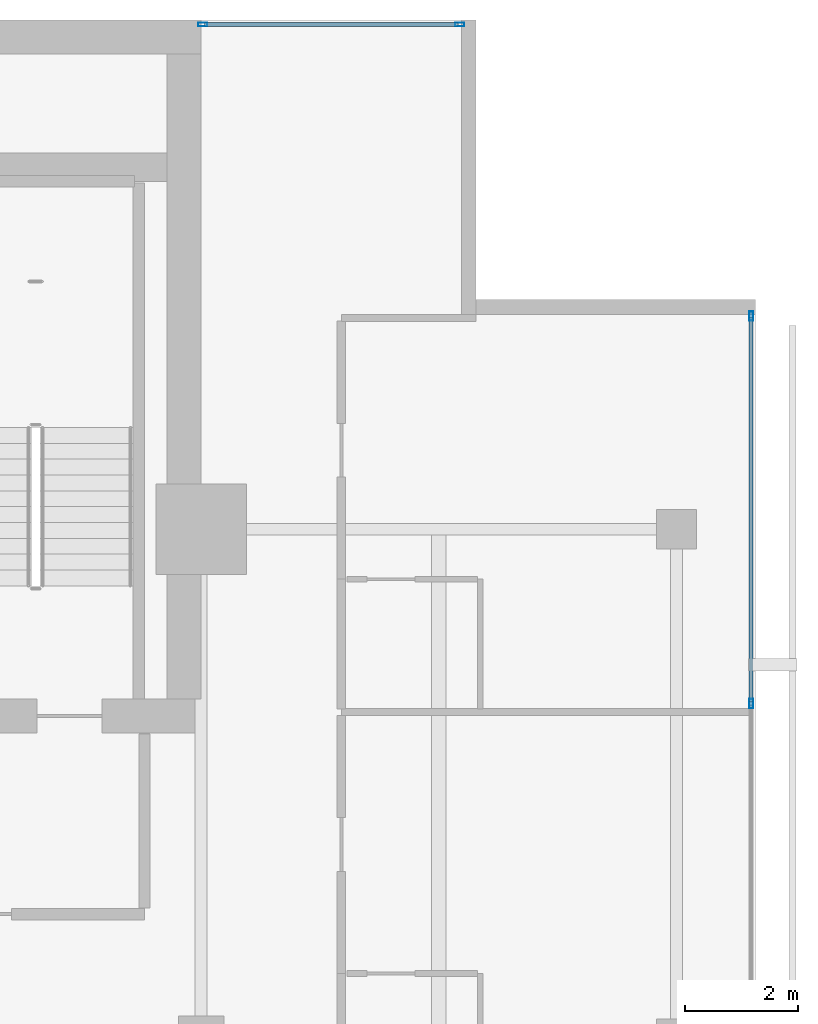
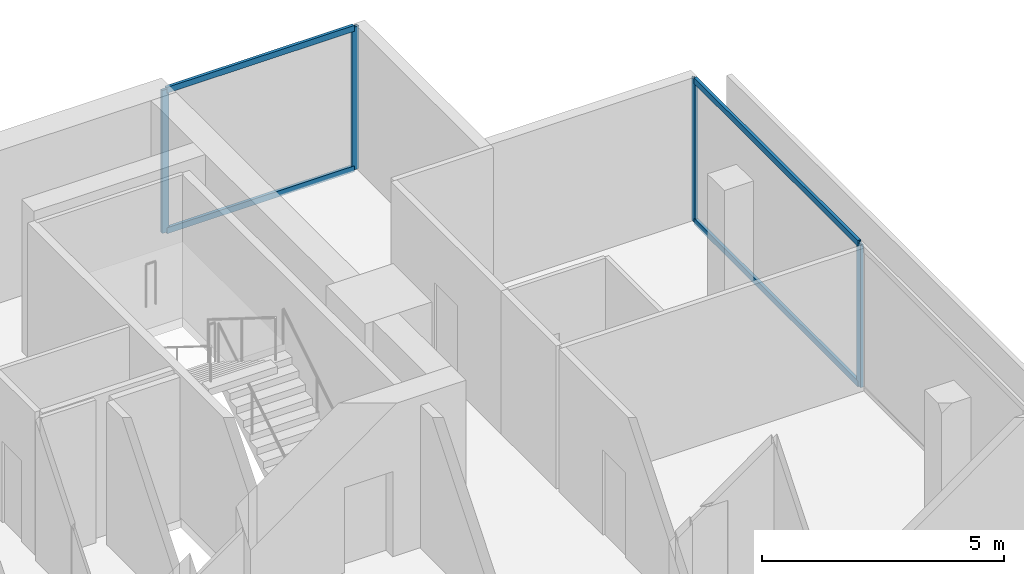
# One storey, part 18 of 25: 8 members, 2 elements without a shape of their own.
"""IFC4 building model written with IfcOpenShell, lengths in metres."""

from ifc_helpers import new_model, si_unit, direction, frame, origin, origin_2d, place, context, subcontext, project, spatial, hollow_rectangle, extrude, material, layer, layer_set, material_profile, profile_set, type_object, element, aggregate, save


model = new_model("IFC4")

# Units and contexts
model_context = context("Model", 3, precision=1e-05, world=origin(), true_north=direction((0.0, 1.0)))
body_context = subcontext(model_context, "Body", "Model", "MODEL_VIEW")
ifc_project = project(units=[si_unit("LENGTHUNIT", "METRE"), si_unit("AREAUNIT", "SQUARE_METRE"), si_unit("VOLUMEUNIT", "CUBIC_METRE"), si_unit("PLANEANGLEUNIT", "RADIAN"), si_unit("MASSUNIT", "GRAM", prefix="KILO")], contexts=[model_context])

# Site, building, storey
site_placement = place(None, origin())
site = spatial("IfcSite", under=ifc_project, at=site_placement, CompositionType="ELEMENT")
building_placement = place(site_placement, origin())
building = spatial("IfcBuilding", under=site, at=building_placement, Name="Maruvema Waterfront Hotel and Observation Tower", CompositionType="ELEMENT")
storey_placement = place(building_placement, frame((0.0, 0.0, 262.5)))
storey = spatial("IfcBuildingStorey", under=building, at=storey_placement, Name="L64", CompositionType="ELEMENT", Elevation=262.5)

# Curtain wall, members
ifc_material_1 = material(Name="Anodised bronze aluminium and solar-control low-E IGU", Category="aluminium")
ifc_layer = layer(ifc_material_1, 0.159912109375, Name="Zone 3 Champagne Inner Thermal Curtain Wall System CW-04")
ifc_layer_set = layer_set([ifc_layer], Name="Anodised bronze aluminium and solar-control low-E IGU")
curtain_wall_type = type_object("IfcCurtainWallType", Name="Zone 3 Champagne Inner Thermal Curtain Wall System CW-04", PredefinedType="USERDEFINED", material=ifc_layer_set)
curtain_wall_1_placement = place(storey_placement, origin())
curtain_wall_1 = element("IfcCurtainWall", 1, at=curtain_wall_1_placement, inside=storey, type_object=curtain_wall_type, Name="L64 Curtain Wall CW-L64-E", ObjectType="UNITISED CURTAIN WALL", PredefinedType="USERDEFINED")
ifc_material_2 = material(Name="Anodised architectural bronze aluminium", Category="aluminium")
ifc_material_profile_1 = material_profile(ifc_material_2, hollow_rectangle(XDim=0.070068359375, YDim=0.14990234375, WallThickness=0.00390625, at=origin_2d()), Name="ALU-T70x150")
ifc_profile_set_1 = profile_set([ifc_material_profile_1], Name="Anodised architectural bronze aluminium")
member_type_1 = type_object("IfcMemberType", Name="Curtain Wall Horizontal Transom ALU-T70x150", PredefinedType="USERDEFINED", material=ifc_profile_set_1)
member_1_placement = place(storey_placement, frame((60.1201171875, 41.949951171875, 0.030029296875), z_axis=(0.0, 1.0, 0.0), x_axis=(-1.0, 0.0, 0.0)))
member_1 = element("IfcMember", 2, at=member_1_placement, type_object=member_type_1, Name="CW-04 transom 5.1", ObjectType="TRANSOM", PredefinedType="USERDEFINED", context=body_context, shape_type="SweptSolid", body=[
    extrude(hollow_rectangle(XDim=0.070068359375, YDim=0.14990234375, WallThickness=0.00390625, at=origin_2d()), origin(), (0.0, 0.0, 1.0), 6.7900390625),
])
member_2_placement = place(storey_placement, frame((60.1201171875, 41.949951171875, 3.580078125), z_axis=(0.0, 1.0, 0.0), x_axis=(-1.0, 0.0, 0.0)))
member_2 = element("IfcMember", 3, at=member_2_placement, type_object=member_type_1, Name="CW-04 transom 5.2", ObjectType="TRANSOM", PredefinedType="USERDEFINED", context=body_context, shape_type="SweptSolid", body=[
    extrude(hollow_rectangle(XDim=0.070068359375, YDim=0.14990234375, WallThickness=0.00390625, at=origin_2d()), origin(), (0.0, 0.0, 1.0), 6.7900390625),
])

curtain_wall_2_placement = place(storey_placement, origin())
curtain_wall_2 = element("IfcCurtainWall", 4, at=curtain_wall_2_placement, inside=storey, type_object=curtain_wall_type, Name="L64 Curtain Wall CW-L64-NE", ObjectType="UNITISED CURTAIN WALL", PredefinedType="USERDEFINED")
member_3_placement = place(storey_placement, frame((54.93994140625, 53.919921875, 0.030029296875), z_axis=(-1.0, 0.0, 0.0), x_axis=(0.0, -1.0, 0.0)))
member_3 = element("IfcMember", 5, at=member_3_placement, type_object=member_type_1, Name="CW-04 transom 1.1", ObjectType="TRANSOM", PredefinedType="USERDEFINED", context=body_context, shape_type="SweptSolid", body=[
    extrude(hollow_rectangle(XDim=0.070068359375, YDim=0.14990234375, WallThickness=0.00390625, at=origin_2d()), origin(), (0.0, 0.0, 1.0), 4.47998046875),
])
member_4_placement = place(storey_placement, frame((54.93994140625, 53.919921875, 3.580078125), z_axis=(-1.0, 0.0, 0.0), x_axis=(0.0, -1.0, 0.0)))
member_4 = element("IfcMember", 6, at=member_4_placement, type_object=member_type_1, Name="CW-04 transom 1.2", ObjectType="TRANSOM", PredefinedType="USERDEFINED", context=body_context, shape_type="SweptSolid", body=[
    extrude(hollow_rectangle(XDim=0.070068359375, YDim=0.14990234375, WallThickness=0.00390625, at=origin_2d()), origin(), (0.0, 0.0, 1.0), 4.47998046875),
])

# Member
ifc_material_3 = material(Name="Anodised architectural bronze aluminium", Category="aluminium")
ifc_material_profile_2 = material_profile(ifc_material_3, hollow_rectangle(XDim=0.06494140625, YDim=0.1650390625, WallThickness=0.00390625, at=origin_2d()), Name="ALU-M65x165")
ifc_profile_set_2 = profile_set([ifc_material_profile_2], Name="Anodised architectural bronze aluminium")
member_type_2 = type_object("IfcMemberType", Name="Curtain Wall Primary Mullion ALU-M65x165", PredefinedType="MULLION", material=ifc_profile_set_2)
member_5_placement = place(storey_placement, frame((60.1201171875, 41.919921875, 0.0), z_axis=(0.0, 0.0, 1.0), x_axis=(-1.0, 0.0, 0.0)))
member_5 = element("IfcMember", 7, at=member_5_placement, type_object=member_type_2, Name="CW-04 mullion 5", PredefinedType="MULLION", context=body_context, shape_type="SweptSolid", body=[
    extrude(hollow_rectangle(XDim=0.06494140625, YDim=0.1650390625, WallThickness=0.00390625, at=origin_2d()), origin(), (0.0, 0.0, 1.0), 3.610107421875),
])

member_6_placement = place(storey_placement, frame((60.1201171875, 48.77001953125, 0.0), z_axis=(0.0, 0.0, 1.0), x_axis=(-1.0, 0.0, 0.0)))
member_6 = element("IfcMember", 8, at=member_6_placement, type_object=member_type_2, Name="CW-04 mullion 6", PredefinedType="MULLION", context=body_context, shape_type="SweptSolid", body=[
    extrude(hollow_rectangle(XDim=0.06494140625, YDim=0.1650390625, WallThickness=0.00390625, at=origin_2d()), origin(), (0.0, 0.0, 1.0), 3.610107421875),
])

aggregate(curtain_wall_1, [member_5, member_6, member_1, member_2])

member_7_placement = place(storey_placement, frame((54.969970703125, 53.919921875, 0.0), z_axis=(0.0, 0.0, 1.0), x_axis=(0.0, -1.0, 0.0)))
member_7 = element("IfcMember", 9, at=member_7_placement, type_object=member_type_2, Name="CW-04 mullion 1", PredefinedType="MULLION", context=body_context, shape_type="SweptSolid", body=[
    extrude(hollow_rectangle(XDim=0.06494140625, YDim=0.1650390625, WallThickness=0.00390625, at=origin_2d()), origin(), (0.0, 0.0, 1.0), 3.610107421875),
])

member_8_placement = place(storey_placement, frame((50.429931640625, 53.919921875, 0.0), z_axis=(0.0, 0.0, 1.0), x_axis=(0.0, -1.0, 0.0)))
member_8 = element("IfcMember", 10, at=member_8_placement, type_object=member_type_2, Name="CW-04 mullion 2", PredefinedType="MULLION", context=body_context, shape_type="SweptSolid", body=[
    extrude(hollow_rectangle(XDim=0.06494140625, YDim=0.1650390625, WallThickness=0.00390625, at=origin_2d()), origin(), (0.0, 0.0, 1.0), 3.610107421875),
])

aggregate(curtain_wall_2, [member_7, member_8, member_3, member_4])

save(model, "model.ifc")
